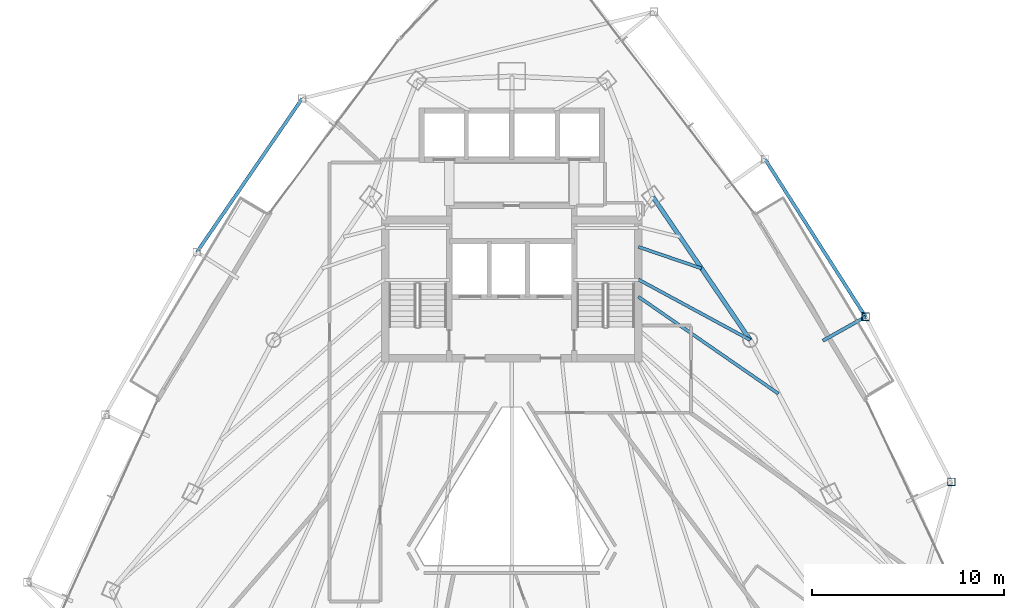
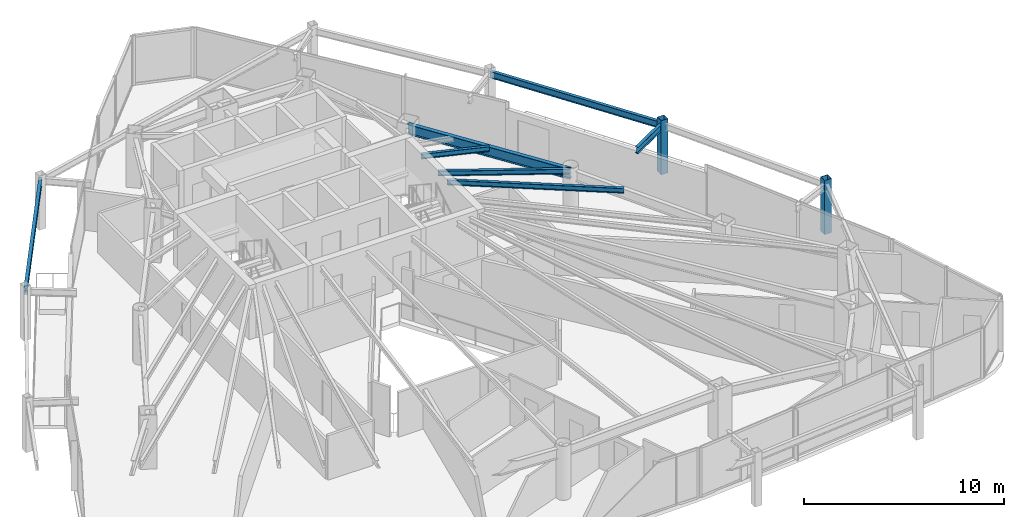
# One storey, part 17 of 30: 7 beams, 2 members.
"""IFC4 building model written with IfcOpenShell, lengths in metres."""

import ifcopenshell
import ifcopenshell.guid

model = None  # the IFC model being written
_history = None  # IfcOwnerHistory: only IFC2X3 demands one
_inside = {}  # id of a spatial element -> (the spatial element, [elements in it])
_under = {}  # id of a project, library or spatial element -> (it, [spatial elements below it])
_declared = {}  # id of a project -> (the project, [libraries it declares])
_typed = {}  # id of a type object -> (the type object, [elements of that type])
_made_of = {}  # id of a material, layer set ... -> (it, [elements and type objects made of it])


def new_model(schema):
    """Start an empty IFC model of exactly this schema.

    Asked for "IFC4X3", IfcOpenShell would pick the latest addendum, in which some entities
    have other attributes; the version numbers below select the first issue.
    IFC2X3 requires an IfcOwnerHistory on every rooted entity: one is made here for all.
    """
    global model, _history
    if schema == "IFC4X3":
        model = ifcopenshell.file(schema_version=(4, 3, 0, 0))
    else:
        model = ifcopenshell.file(schema=schema)
    _inside.clear()
    _under.clear()
    _declared.clear()
    _typed.clear()
    _made_of.clear()
    _history = None
    if model.schema == "IFC2X3":
        org = make("IfcOrganization", Name="unknown")
        user = make(
            "IfcPersonAndOrganization",
            ThePerson=make("IfcPerson", FamilyName="unknown"),
            TheOrganization=org,
        )
        app = make(
            "IfcApplication",
            ApplicationDeveloper=org,
            Version="unknown",
            ApplicationFullName="unknown",
            ApplicationIdentifier="unknown",
        )
        _history = make(
            "IfcOwnerHistory",
            OwningUser=user,
            OwningApplication=app,
            ChangeAction="ADDED",
            CreationDate=0,
        )
    return model


def make(cls, **values):
    """One entity of the class cls with the attributes given. An attribute that is None is left unset."""
    return model.create_entity(
        cls, **{name: value for name, value in values.items() if value is not None}
    )


def rooted(cls, **values):
    """An entity with a GlobalId (a new one), such as an element, a storey or a relation."""
    return make(cls, GlobalId=ifcopenshell.guid.new(), OwnerHistory=_history, **values)


def si_unit(unit_type, name, prefix=None):
    """IfcSIUnit, for example si_unit("LENGTHUNIT", "METRE", prefix="MILLI")."""
    return make("IfcSIUnit", UnitType=unit_type, Prefix=prefix, Name=name)


def assignment(units):
    """IfcUnitAssignment: the units of a project."""
    return None if units is None else make("IfcUnitAssignment", Units=units)


def point(xyz):
    """IfcCartesianPoint."""
    return None if xyz is None else make("IfcCartesianPoint", Coordinates=xyz)


def direction(xyz):
    """IfcDirection."""
    return None if xyz is None else make("IfcDirection", DirectionRatios=xyz)


def frame(location, z_axis=None, x_axis=None):
    """IfcAxis2Placement3D, a coordinate frame: its origin and axes. An axis left out is left unset."""
    return make(
        "IfcAxis2Placement3D",
        Location=point(location),
        Axis=direction(z_axis),
        RefDirection=direction(x_axis),
    )


def frame_2d(location, x_axis=None):
    """IfcAxis2Placement2D, a coordinate frame in the plane: its origin and x axis."""
    return make(
        "IfcAxis2Placement2D", Location=point(location), RefDirection=direction(x_axis)
    )


def origin():
    """The frame at (0, 0, 0) with its axes left unset."""
    return frame((0.0, 0.0, 0.0))


def origin_2d():
    """The frame at (0, 0) in the plane with its x axis left unset."""
    return frame_2d((0.0, 0.0))


def place(relative_to, where):
    """IfcLocalPlacement: puts the frame where relative to a parent placement (None: the world)."""
    return make(
        "IfcLocalPlacement", PlacementRelTo=relative_to, RelativePlacement=where
    )


def context(
    kind, dimensions, precision=None, world=None, true_north=None, identifier=None
):
    """IfcGeometricRepresentationContext, for example the 3D "Model" context."""
    return make(
        "IfcGeometricRepresentationContext",
        ContextIdentifier=identifier,
        ContextType=kind,
        CoordinateSpaceDimension=dimensions,
        Precision=precision,
        WorldCoordinateSystem=world,
        TrueNorth=true_north,
    )


def subcontext(parent, identifier, kind, view, scale=None):
    """IfcGeometricRepresentationSubContext, for example "Body" below "Model"."""
    return make(
        "IfcGeometricRepresentationSubContext",
        ContextIdentifier=identifier,
        ContextType=kind,
        ParentContext=parent,
        TargetScale=scale,
        TargetView=view,
    )


def project(units=None, contexts=None):
    """IfcProject with its units and contexts."""
    return rooted(
        "IfcProject",
        Name="project",
        RepresentationContexts=contexts,
        UnitsInContext=assignment(units),
    )


def spatial(cls, under=None, at=None, **own):
    """A site, building, storey or space (cls), placed at a placement, below another one or the project."""
    s = rooted(cls, ObjectPlacement=at, **own)
    if under is not None:
        _under.setdefault(under.id(), (under, []))[1].append(s)
    return s


def profile(cls, at=None, kind="AREA", **sizes):
    """A parametric profile (cls). Its sizes go by their IFC names, for example OverallWidth=200.0."""
    return make(cls, ProfileType=kind, Position=at, **sizes)


def hollow_rectangle(**sizes):
    """IfcRectangleHollowProfileDef."""
    return profile("IfcRectangleHollowProfileDef", **sizes)


def i_section(**sizes):
    """IfcIShapeProfileDef."""
    return profile("IfcIShapeProfileDef", **sizes)


def extrude(swept, where, along, depth):
    """IfcExtrudedAreaSolid: the profile swept, set in the frame where, extruded along a direction by depth."""
    return make(
        "IfcExtrudedAreaSolid",
        SweptArea=swept,
        Position=where,
        ExtrudedDirection=direction(along),
        Depth=depth,
    )


def shape(context_of_items, identifier, shape_type, items):
    """IfcShapeRepresentation: the items that make up one representation, for example the "Body"."""
    return make(
        "IfcShapeRepresentation",
        ContextOfItems=context_of_items,
        RepresentationIdentifier=identifier,
        RepresentationType=shape_type,
        Items=items,
    )


def material(Name=None, Category=None):
    """IfcMaterial."""
    return make("IfcMaterial", Name=Name, Category=Category)


def material_profile(
    of_material, cross_section, Name=None, Category=None, Priority=None
):
    """IfcMaterialProfile: a cross section and its material."""
    return make(
        "IfcMaterialProfile",
        Name=Name,
        Material=of_material,
        Profile=cross_section,
        Priority=Priority,
        Category=Category,
    )


def profile_set(profiles, Name=None, composite=None):
    """IfcMaterialProfileSet."""
    return make(
        "IfcMaterialProfileSet",
        Name=Name,
        MaterialProfiles=profiles,
        CompositeProfile=composite,
    )


def made_of(thing, what):
    """Note that an element or type object is made of a material, layer set ...; save() writes the relation."""
    if what is not None:
        _made_of.setdefault(what.id(), (what, []))[1].append(thing)
    return thing


def type_object(cls, material=None, **own):
    """A type object (cls), such as IfcWallType, which elements share."""
    return made_of(rooted(cls, **own), material)


def element(
    cls,
    number,
    at=None,
    inside=None,
    cuts=None,
    type_object=None,
    material=None,
    context=None,
    identifier="Body",
    shape_type=None,
    held_by="IfcProductDefinitionShape",
    body=None,
    shapes=None,
    **own,
):
    """One element of the class cls, such as IfcWall. Its Tag is "e" and its number.

    at: its placement. inside: the storey or other place that contains it. cuts: it is an
    opening in that element (IfcRelVoidsElement). A single representation is given by context,
    identifier, shape_type and body (its items); several are given by shapes. held_by: the class
    of the entity that holds the representations. save() writes the other relations.
    """
    e = rooted(cls, Tag="e%d" % number, ObjectPlacement=at, **own)
    if body is not None:
        shapes = [shape(context, identifier, shape_type, body)]
    if shapes is not None:
        e.Representation = make(held_by, Representations=shapes)
    if inside is not None:
        _inside.setdefault(inside.id(), (inside, []))[1].append(e)
    if cuts is not None:
        rooted(
            "IfcRelVoidsElement", RelatingBuildingElement=cuts, RelatedOpeningElement=e
        )
    if type_object is not None:
        _typed.setdefault(type_object.id(), (type_object, []))[1].append(e)
    return made_of(e, material)


def aggregate(whole, parts):
    """IfcRelAggregates: a whole, such as a stair, and the parts it consists of."""
    return rooted("IfcRelAggregates", RelatingObject=whole, RelatedObjects=parts)


def save(model, path):
    """Write the relations noted so far, then the file.

    IfcRelAggregates (storeys below a building ...), IfcRelContainedInSpatialStructure (elements
    in a storey), IfcRelDefinesByType, IfcRelAssociatesMaterial and IfcRelDeclares: one each for
    every whole, place, type object, material and project.
    """
    for whole, parts in _under.values():
        aggregate(whole, parts)
    for where, things in _inside.values():
        rooted(
            "IfcRelContainedInSpatialStructure",
            RelatedElements=things,
            RelatingStructure=where,
        )
    for kind, things in _typed.values():
        rooted("IfcRelDefinesByType", RelatedObjects=things, RelatingType=kind)
    for what, things in _made_of.values():
        rooted("IfcRelAssociatesMaterial", RelatedObjects=things, RelatingMaterial=what)
    for by, libraries in _declared.values():
        rooted("IfcRelDeclares", RelatingContext=by, RelatedDefinitions=libraries)
    model.write(path)


model = new_model("IFC4")

# Units and contexts
model_context = context("Model", 3, precision=1e-05, world=origin(), true_north=direction((0.0, 1.0)))
body_context = subcontext(model_context, "Body", "Model", "MODEL_VIEW")
ifc_project = project(units=[si_unit("LENGTHUNIT", "METRE"), si_unit("AREAUNIT", "SQUARE_METRE"), si_unit("VOLUMEUNIT", "CUBIC_METRE"), si_unit("PLANEANGLEUNIT", "RADIAN"), si_unit("MASSUNIT", "GRAM", prefix="KILO")], contexts=[model_context])

# Site, building, storey
site_placement = place(None, origin())
site = spatial("IfcSite", under=ifc_project, at=site_placement, CompositionType="ELEMENT")
building_placement = place(site_placement, origin())
building = spatial("IfcBuilding", under=site, at=building_placement, Name="Orvanel Arch Residences", CompositionType="ELEMENT")
storey_placement = place(building_placement, frame((0.0, 0.0, 136.39990234375)))
storey = spatial("IfcBuildingStorey", under=building, at=storey_placement, Name="L38", CompositionType="ELEMENT", Elevation=136.39990234375)

# Beams
ifc_material_1 = material(Name="Structural steel AS/NZS 3679.1 Grade 300 (300 MPa)", Category="steel")
ifc_material_profile_1 = material_profile(ifc_material_1, i_section(OverallWidth=0.1650390625, OverallDepth=0.303955078125, WebThickness=0.006103515625, FlangeThickness=0.01025390625, at=origin_2d()), Name="310UB40.4")
ifc_profile_set_1 = profile_set([ifc_material_profile_1], Name="Structural steel AS/NZS 3679.1 Grade 300 (300 MPa)")
beam_type_1 = type_object("IfcBeamType", Name="BJ-310UB", PredefinedType="JOIST", material=ifc_profile_set_1)
beam_1_placement = place(storey_placement, frame((39.60009765625, 30.800048828125, 2.908203125), z_axis=(0.87925534649, -0.476350748576, 0.0), x_axis=(0.476350748576, 0.87925534649, 0.0)))
element("IfcBeam", 1, at=beam_1_placement, inside=storey, type_object=beam_type_1, Name="L38 NE Wing Floor Joist", PredefinedType="JOIST", context=body_context, shape_type="SweptSolid", body=[
    extrude(i_section(OverallWidth=0.1650390625, OverallDepth=0.303955078125, WebThickness=0.006103515625, FlangeThickness=0.01025390625, at=origin_2d()), origin(), (0.0, 0.0, 1.0), 6.631591796875),
])
beam_2_placement = place(storey_placement, frame((39.60009765625, 32.5, 2.908203125), z_axis=(0.9464126781, -0.322959815969, 0.0), x_axis=(0.322959815969, 0.9464126781, 0.0)))
element("IfcBeam", 2, at=beam_2_placement, inside=storey, type_object=beam_type_1, Name="L38 ENE Wing Floor Joist", PredefinedType="JOIST", context=body_context, shape_type="SweptSolid", body=[
    extrude(i_section(OverallWidth=0.1650390625, OverallDepth=0.303955078125, WebThickness=0.006103515625, FlangeThickness=0.01025390625, at=origin_2d()), origin(), (0.0, 0.0, 1.0), 3.477294921875),
])
beam_3_placement = place(storey_placement, frame((39.60009765625, 29.89990234375, 2.908203125), z_axis=(0.822002180325, -0.569484341787, 0.0), x_axis=(0.569484341787, 0.822002180325, 0.0)))
element("IfcBeam", 3, at=beam_3_placement, inside=storey, type_object=beam_type_1, Name="L38 CTE Wing Floor Joist", PredefinedType="JOIST", context=body_context, shape_type="SweptSolid", body=[
    extrude(i_section(OverallWidth=0.1650390625, OverallDepth=0.303955078125, WebThickness=0.006103515625, FlangeThickness=0.01025390625, at=origin_2d()), origin(), (0.0, 0.0, 1.0), 8.88330078125),
])
ifc_material_profile_2 = material_profile(ifc_material_1, i_section(OverallWidth=0.177978515625, OverallDepth=0.406005859375, WebThickness=0.0078125, FlangeThickness=0.0126953125, at=origin_2d()), Name="410UB59.7")
ifc_profile_set_2 = profile_set([ifc_material_profile_2], Name="Structural steel AS/NZS 3679.1 Grade 300 (300 MPa)")
beam_type_2 = type_object("IfcBeamType", Name="OB-410UB-EXT", PredefinedType="SPANDREL", material=ifc_profile_set_2)
beam_4_placement = place(storey_placement, frame((22.06689453125, 40.23291015625, 2.857177734375), z_axis=(-0.565443260383, -0.824787196365, 0.0), x_axis=(0.824787196365, -0.565443260383, 0.0)))
element("IfcBeam", 4, at=beam_4_placement, inside=storey, type_object=beam_type_2, Name="L38 Outer Perimeter Floor Ring Beam 01", PredefinedType="SPANDREL", context=body_context, shape_type="SweptSolid", body=[
    extrude(i_section(OverallWidth=0.177978515625, OverallDepth=0.406005859375, WebThickness=0.0078125, FlangeThickness=0.0126953125, at=origin_2d()), origin(), (0.0, 0.0, 1.0), 9.701904296875),
])
beam_5_placement = place(storey_placement, frame((49.220947265625, 27.60595703125, 2.857177734375), z_axis=(0.871662441925, 0.490106710153, 0.0), x_axis=(-0.490106710153, 0.871662441925, 0.0)))
element("IfcBeam", 5, at=beam_5_placement, inside=storey, type_object=beam_type_2, Name="L38 Outer Frame Radial Tie Beam 10", PredefinedType="SPANDREL", context=body_context, shape_type="SweptSolid", body=[
    extrude(i_section(OverallWidth=0.177978515625, OverallDepth=0.406005859375, WebThickness=0.0078125, FlangeThickness=0.0126953125, at=origin_2d()), origin(), (0.0, 0.0, 1.0), 2.550537109375),
])
beam_6_placement = place(storey_placement, frame((51.444091796875, 28.85595703125, 2.857177734375), z_axis=(-0.537902363654, 0.843007145388, 0.0), x_axis=(-0.843007145388, -0.537902363654, 0.0)))
element("IfcBeam", 6, at=beam_6_placement, inside=storey, type_object=beam_type_2, Name="L38 Outer Perimeter Floor Ring Beam 10", PredefinedType="SPANDREL", context=body_context, shape_type="SweptSolid", body=[
    extrude(i_section(OverallWidth=0.177978515625, OverallDepth=0.406005859375, WebThickness=0.0078125, FlangeThickness=0.0126953125, at=origin_2d()), origin(), (0.0, 0.0, 1.0), 9.734375),
])
ifc_material_profile_3 = material_profile(ifc_material_1, i_section(OverallWidth=0.22900390625, OverallDepth=0.612060546875, WebThickness=0.011962890625, FlangeThickness=0.01953125, at=origin_2d()), Name="610UB125")
ifc_profile_set_3 = profile_set([ifc_material_profile_3], Name="Structural steel AS/NZS 3679.1 Grade 300 (300 MPa)")
beam_type_3 = type_object("IfcBeamType", Name="SP-610UB", PredefinedType="SPANDREL", material=ifc_profile_set_3)
beam_7_placement = place(storey_placement, frame((45.430908203125, 27.64111328125, 2.754150390625), z_axis=(-0.562154793153, 0.827032035978, 0.0), x_axis=(-0.827032035978, -0.562154793153, 0.0)))
element("IfcBeam", 7, at=beam_7_placement, inside=storey, type_object=beam_type_3, Name="L38 Perimeter Spandrel Beam 12", PredefinedType="SPANDREL", context=body_context, shape_type="SweptSolid", body=[
    extrude(i_section(OverallWidth=0.22900390625, OverallDepth=0.612060546875, WebThickness=0.011962890625, FlangeThickness=0.01953125, at=origin_2d()), origin(), (0.0, 0.0, 1.0), 9.03466796875),
])

# Members
ifc_material_2 = material(Name="Structural steel AS/NZS 1163 C450L0 (Grade 450)", Category="steel")
ifc_material_profile_4 = material_profile(ifc_material_2, hollow_rectangle(XDim=0.39990234375, YDim=0.39990234375, WallThickness=0.01611328125, at=origin_2d()), Name="SHS400x400x16")
ifc_profile_set_4 = profile_set([ifc_material_profile_4], Name="Structural steel AS/NZS 1163 C450L0 (Grade 450)")
member_type = type_object("IfcMemberType", Name="ST-400SHS-EXT", PredefinedType="STRUT", material=ifc_profile_set_4)
for number, where, z_axis, x_axis, name in (
    (8, (55.9208984375, 20.248046875, 0.0), (0.0, 0.0, 1.0), (1.0, 0.0, 0.0), "L38 Outer Perimeter Frame Post 09"),
    (9, (51.444091796875, 28.85595703125, 0.0), (0.0, 0.0, 1.0), (1.0, 0.0, 0.0), "L38 Outer Perimeter Frame Post 10"),
):
    element("IfcMember", number, at=place(storey_placement, frame(where, z_axis=z_axis, x_axis=x_axis)), inside=storey, type_object=member_type, Name=name, PredefinedType="STRUT", context=body_context, shape_type="SweptSolid", body=[
        extrude(hollow_rectangle(XDim=0.39990234375, YDim=0.39990234375, WallThickness=0.01611328125, at=origin_2d()), origin(), (0.0, 0.0, 1.0), 3.300048828125),
    ])

save(model, "model.ifc")
